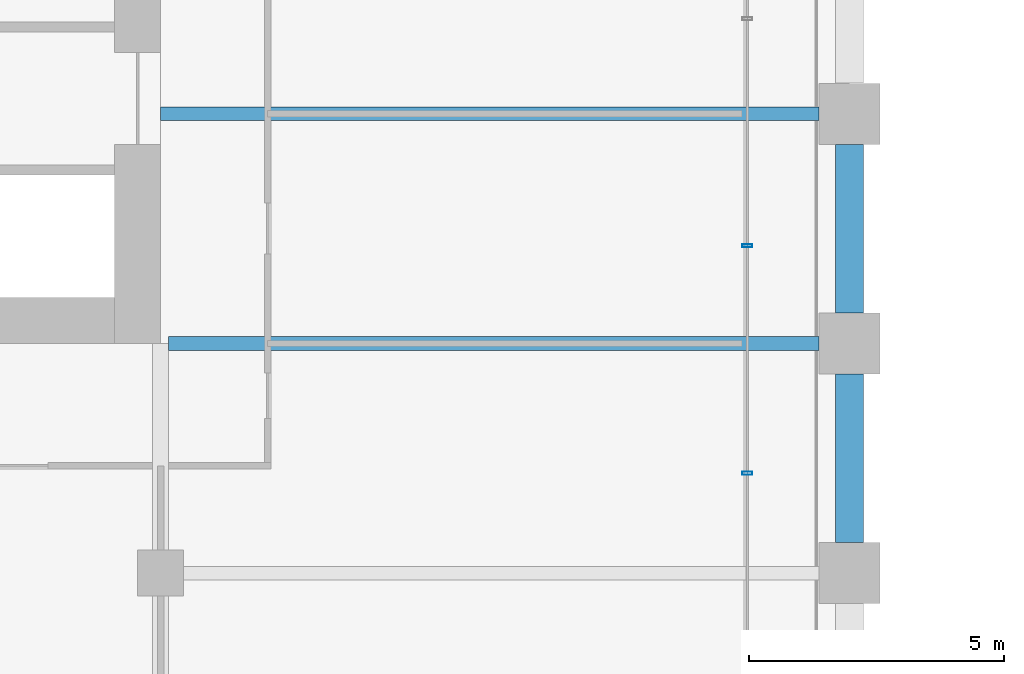
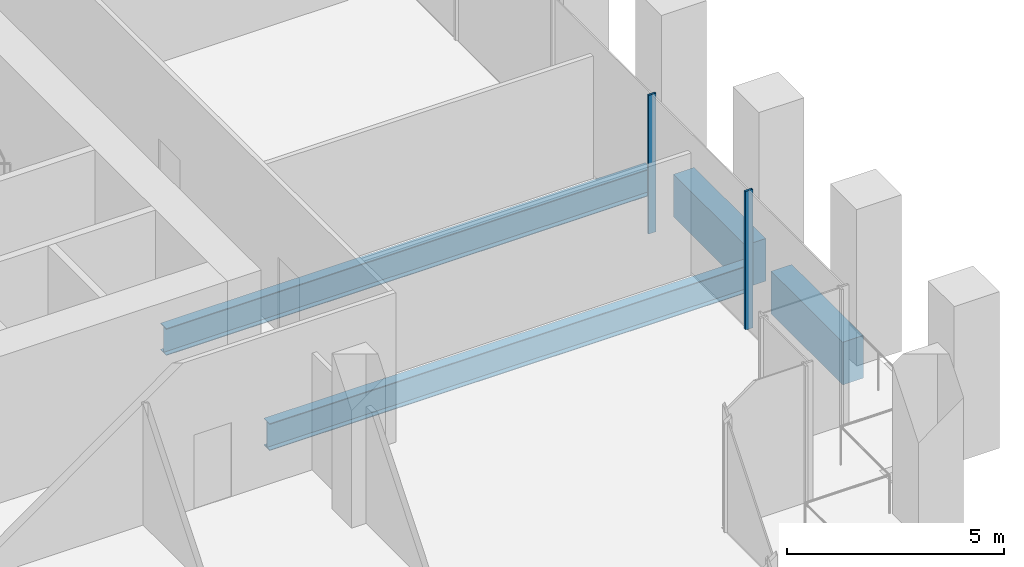
# One storey, part 10 of 36: 4 beams, 2 members, 1 element without a shape of its own.
"""IFC4 building model written with IfcOpenShell, lengths in metres."""

from ifc_helpers import new_model, si_unit, direction, frame, origin, origin_2d, place, context, subcontext, project, spatial, rectangle, hollow_rectangle, i_section, extrude, material, material_profile, profile_set, type_object, element, aggregate, save


model = new_model("IFC4")

# Units and contexts
model_context = context("Model", 3, precision=1e-05, world=origin(), true_north=direction((0.0, 1.0)))
body_context = subcontext(model_context, "Body", "Model", "MODEL_VIEW")
ifc_project = project(units=[si_unit("LENGTHUNIT", "METRE"), si_unit("AREAUNIT", "SQUARE_METRE"), si_unit("VOLUMEUNIT", "CUBIC_METRE"), si_unit("PLANEANGLEUNIT", "RADIAN"), si_unit("MASSUNIT", "GRAM", prefix="KILO")], contexts=[model_context])

# Site, building, storey
site_placement = place(None, origin())
site = spatial("IfcSite", under=ifc_project, at=site_placement, CompositionType="ELEMENT")
building_placement = place(site_placement, origin())
building = spatial("IfcBuilding", under=site, at=building_placement, Name="Altepetl Exchange Towers", CompositionType="ELEMENT")
storey_placement = place(building_placement, frame((0.0, 0.0, 29.800048828125)))
storey = spatial("IfcBuildingStorey", under=building, at=storey_placement, Name="L06", CompositionType="ELEMENT", Elevation=29.800048828125)

# Beams
ifc_material_1 = material(Name="Steel S355", Category="steel")
ifc_material_profile_1 = material_profile(ifc_material_1, i_section(OverallWidth=0.26611328125, OverallDepth=0.758056640625, WebThickness=0.013916015625, FlangeThickness=0.019287109375, at=origin_2d()), Name="W30X108")
ifc_profile_set_1 = profile_set([ifc_material_profile_1], Name="Steel S355")
beam_type_1 = type_object("IfcBeamType", Name="Floor beam W30X108", PredefinedType="BEAM", material=ifc_profile_set_1)
beam_1_placement = place(storey_placement, frame((58.654052734375, 40.5, -0.553955078125), z_axis=(1.0, 0.0, 0.0), x_axis=(0.0, 1.0, 0.0)))
element("IfcBeam", 1, at=beam_1_placement, inside=storey, type_object=beam_type_1, Name="bm:A:L06:008", PredefinedType="BEAM", context=body_context, shape_type="SweptSolid", body=[
    extrude(i_section(OverallWidth=0.26611328125, OverallDepth=0.758056640625, WebThickness=0.013916015625, FlangeThickness=0.019287109375, at=origin_2d()), origin(), (0.0, 0.0, 1.0), 12.745849609375),
])
beam_2_placement = place(storey_placement, frame((58.5, 45.0, -0.553955078125), z_axis=(1.0, 0.0, 0.0), x_axis=(0.0, 1.0, 0.0)))
element("IfcBeam", 2, at=beam_2_placement, inside=storey, type_object=beam_type_1, Name="bm:A:L06:009", PredefinedType="BEAM", context=body_context, shape_type="SweptSolid", body=[
    extrude(i_section(OverallWidth=0.26611328125, OverallDepth=0.758056640625, WebThickness=0.013916015625, FlangeThickness=0.019287109375, at=origin_2d()), origin(), (0.0, 0.0, 1.0), 12.89990234375),
])

# Curtain wall, members
ifc_material_2 = material(Name="Aluminium 6063-T6 glazing", Category="aluminium")
curtain_wall_type = type_object("IfcCurtainWallType", Name="Trading floor glazing system", PredefinedType="NOTDEFINED", material=ifc_material_2)
curtain_wall_placement = place(storey_placement, origin())
curtain_wall = element("IfcCurtainWall", 3, at=curtain_wall_placement, inside=storey, type_object=curtain_wall_type, Name="CW2 run", PredefinedType="NOTDEFINED")
ifc_material_3 = material(Name="Aluminium 6063-T6", Category="aluminium")
ifc_material_profile_2 = material_profile(ifc_material_3, hollow_rectangle(XDim=0.06005859375, YDim=0.199951171875, WallThickness=0.0029296875, at=origin_2d()), Name="Mullion 60x200 aluminium")
ifc_profile_set_2 = profile_set([ifc_material_profile_2], Name="Aluminium 6063-T6")
member_type = type_object("IfcMemberType", Name="Mullion 60x200 aluminium", PredefinedType="MULLION", material=ifc_profile_set_2)
member_1_placement = place(storey_placement, frame((70.0, 37.9560546875, 0.0), z_axis=(0.0, 0.0, 1.0), x_axis=(0.0, 1.0, 0.0)))
member_1 = element("IfcMember", 4, at=member_1_placement, type_object=member_type, Name="MU2 mullion", PredefinedType="MULLION", context=body_context, shape_type="SweptSolid", body=[
    extrude(hollow_rectangle(XDim=0.06005859375, YDim=0.199951171875, WallThickness=0.0029296875, at=origin_2d()), origin(), (0.0, 0.0, 1.0), 3.89990234375),
])
member_2_placement = place(storey_placement, frame((70.0, 42.412109375, 0.0), z_axis=(0.0, 0.0, 1.0), x_axis=(0.0, 1.0, 0.0)))
member_2 = element("IfcMember", 5, at=member_2_placement, type_object=member_type, Name="MU2 mullion", PredefinedType="MULLION", context=body_context, shape_type="SweptSolid", body=[
    extrude(hollow_rectangle(XDim=0.06005859375, YDim=0.199951171875, WallThickness=0.0029296875, at=origin_2d()), origin(), (0.0, 0.0, 1.0), 3.89990234375),
])
aggregate(curtain_wall, [member_1, member_2])

# Beams
ifc_material_4 = material(Name="Concrete C50/60 precast with cantera amarilla facing", Category="concrete")
ifc_material_profile_3 = material_profile(ifc_material_4, rectangle(XDim=0.550048828125, YDim=1.199951171875, at=origin_2d()), Name="550 x 1200")
ifc_profile_set_3 = profile_set([ifc_material_profile_3], Name="Concrete C50/60 precast with cantera amarilla facing")
beam_type_2 = type_object("IfcBeamType", Name="Spandrel beam 550x1200 cantera amarilla", PredefinedType="SPANDREL", material=ifc_profile_set_3)
for number, where, z_axis, x_axis, name in (
    (6, (72.0, 36.60009765625, -0.775146484375), (0.0, 1.0, 0.0), (-1.0, 0.0, 0.0), "sp:A:L06:013"),
    (7, (72.0, 41.10009765625, -0.775146484375), (0.0, 1.0, 0.0), (-1.0, 0.0, 0.0), "sp:A:L06:014"),
):
    element("IfcBeam", number, at=place(storey_placement, frame(where, z_axis=z_axis, x_axis=x_axis)), inside=storey, type_object=beam_type_2, Name=name, PredefinedType="SPANDREL", context=body_context, shape_type="SweptSolid", body=[
        extrude(rectangle(XDim=0.550048828125, YDim=1.199951171875, at=origin_2d()), origin(), (0.0, 0.0, 1.0), 3.2998046875),
    ])

save(model, "model.ifc")
